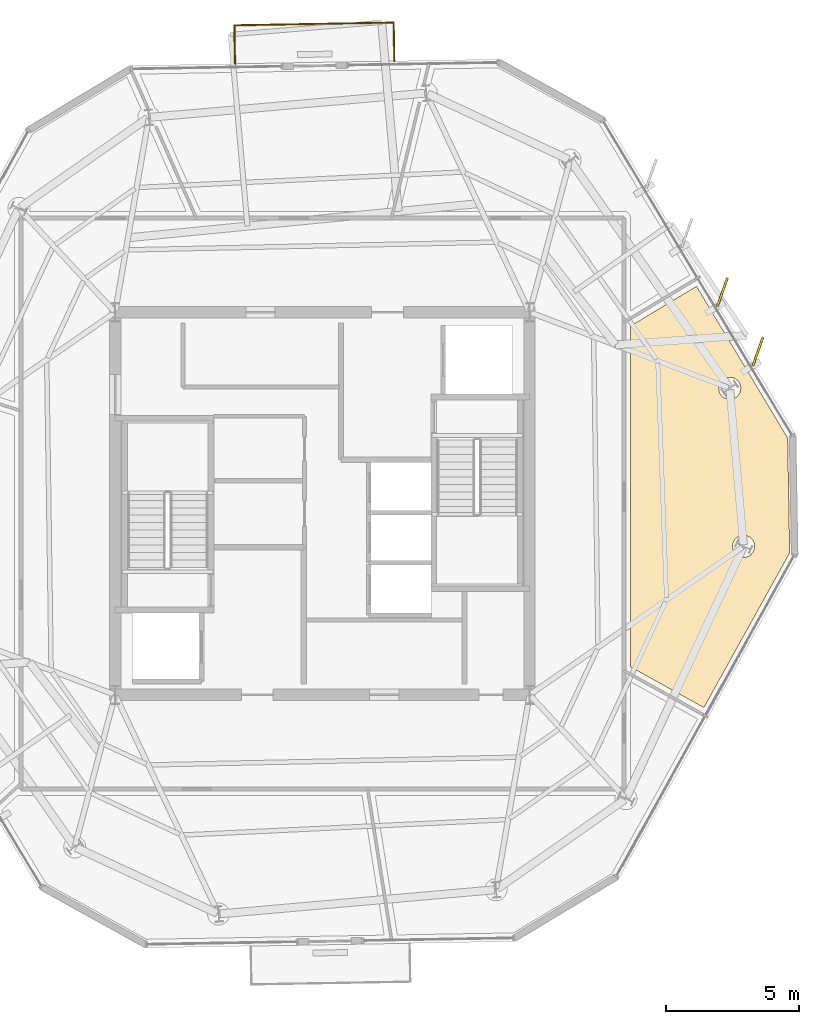
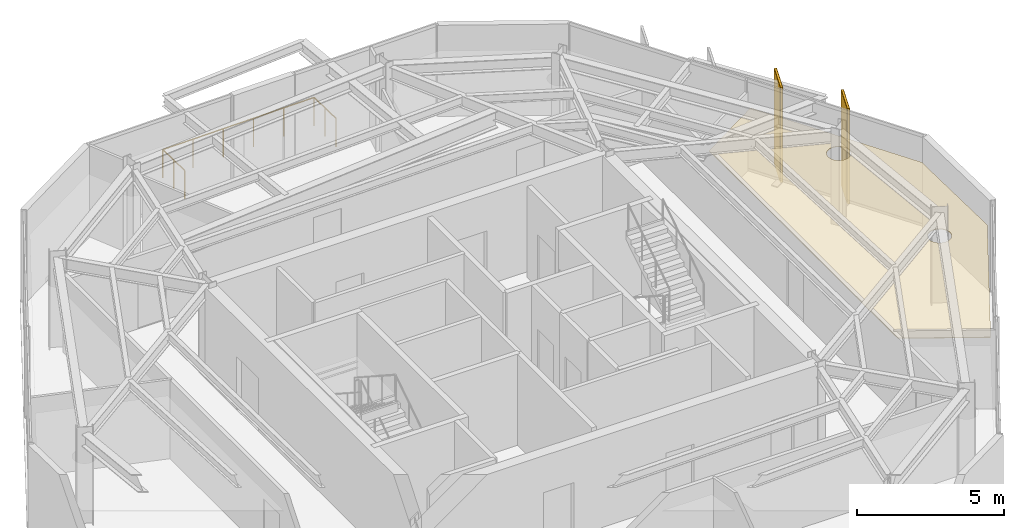
# One storey, part 12 of 12: 3 coverings, 2 shading devices, 1 railing.
"""IFC4 building model written with IfcOpenShell, lengths in metres."""

from ifc_helpers import new_model, si_unit, direction, frame, origin, origin_2d, place, context, subcontext, project, spatial, polyline, rectangle, circle, outline, extrude, material, layer, layer_set, type_object, element, save


model = new_model("IFC4")

# Units and contexts
model_context = context("Model", 3, precision=1e-05, world=origin(), true_north=direction((0.0, 1.0)))
body_context = subcontext(model_context, "Body", "Model", "MODEL_VIEW")
ifc_project = project(units=[si_unit("LENGTHUNIT", "METRE"), si_unit("AREAUNIT", "SQUARE_METRE"), si_unit("VOLUMEUNIT", "CUBIC_METRE"), si_unit("PLANEANGLEUNIT", "RADIAN"), si_unit("MASSUNIT", "GRAM", prefix="KILO")], contexts=[model_context])

# Site, building, storey
site_placement = place(None, origin())
site = spatial("IfcSite", under=ifc_project, at=site_placement, CompositionType="ELEMENT")
building_placement = place(site_placement, origin())
building = spatial("IfcBuilding", under=site, at=building_placement, Name="Kranzbogen Civic Tower", CompositionType="ELEMENT")
storey_placement = place(building_placement, frame((0.0, 0.0, 270.199951171875)))
storey = spatial("IfcBuildingStorey", under=building, at=storey_placement, Name="L65", CompositionType="ELEMENT", Elevation=270.199951171875)

# Coverings
ifc_material_1 = material(Name="Pale Anodised Aluminium", Category="aluminium")
ifc_layer_1 = layer(ifc_material_1, 0.02490234375, Name="Pale Anodised Aluminium")
ifc_layer_set_1 = layer_set([ifc_layer_1], Name="Pale Anodised Aluminium")
covering_type_1 = type_object("IfcCoveringType", Name="Anodised Aluminium Vertical Fin Cladding 25 mm", PredefinedType="CLADDING", material=ifc_layer_set_1)
for number, where, z_axis, x_axis, name in (
    (1, (41.39501953125, 30.72705078125, -0.139892578125), (0.0, 0.0, 1.0), (0.334596447491, 0.942361510953, 0.0), "L65 vertical fin pale-metal cladding F6-1"),
    (2, (40.055908203125, 32.9560546875, -0.139892578125), (0.0, 0.0, 1.0), (0.334596447491, 0.942361510953, 0.0), "L65 vertical fin pale-metal cladding F6-2"),
):
    element("IfcCovering", number, at=place(storey_placement, frame(where, z_axis=z_axis, x_axis=x_axis)), inside=storey, type_object=covering_type_1, Name=name, PredefinedType="CLADDING", context=body_context, shape_type="SweptSolid", body=[
        extrude(rectangle(XDim=1.14990234375, YDim=0.094970703125, at=origin_2d()), origin(), (0.0, 0.0, 1.0), 3.9599609375),
    ])

# Railing
ifc_material_2 = material(Name="Anodised Bronze Aluminium", Category="aluminium")
railing_type = type_object("IfcRailingType", Name="Cantilevered Balcony Glass and Bronze Balustrade 1200", PredefinedType="BALUSTRADE", material=ifc_material_2)
railing_placement = place(storey_placement, frame((27.7099609375, 41.657958984375, 0.0)))
element("IfcRailing", 3, at=railing_placement, inside=storey, type_object=railing_type, Name="L65 exterior terrace balustrade L65-TB2", PredefinedType="BALUSTRADE", context=body_context, shape_type="SweptSolid", body=[
    extrude(circle(Radius=0.02392578125, at=origin_2d()), frame((0.0, 0.0, 1.17578125), z_axis=(-0.017172076107, 0.99985254903, 0.0), x_axis=(-0.99985254903, -0.017172076107, 0.0)), (0.0, 0.0, 1.0), 1.4501953125),
    extrude(circle(Radius=0.02392578125, at=origin_2d()), frame((-0.02490234375, 1.449951171875, 1.17578125), z_axis=(-0.999849751445, -0.017334201291, 0.0), x_axis=(0.017334201291, -0.999849751445, 0.0)), (0.0, 0.0, 1.0), 6.0),
    extrude(circle(Radius=0.02392578125, at=origin_2d()), frame((-6.02392578125, 1.345947265625, 1.17578125), z_axis=(0.017172076107, -0.99985254903, 0.0), x_axis=(0.99985254903, 0.017172076107, 0.0)), (0.0, 0.0, 1.0), 1.4501953125),
    extrude(circle(Radius=0.02099609375, at=origin_2d()), origin(), (0.0, 0.0, 1.0), 1.15185546875),
    extrude(circle(Radius=0.02099609375, at=origin_2d()), frame((-0.012451171875, 0.72509765625, 0.0)), (0.0, 0.0, 1.0), 1.15185546875),
    extrude(circle(Radius=0.02099609375, at=origin_2d()), frame((-0.02490234375, 1.449951171875, 0.0)), (0.0, 0.0, 1.0), 1.15185546875),
    extrude(circle(Radius=0.02099609375, at=origin_2d()), frame((-1.224609375, 1.42919921875, 0.0)), (0.0, 0.0, 1.0), 1.15185546875),
    extrude(circle(Radius=0.02099609375, at=origin_2d()), frame((-2.424560546875, 1.408447265625, 0.0)), (0.0, 0.0, 1.0), 1.15185546875),
    extrude(circle(Radius=0.02099609375, at=origin_2d()), frame((-3.624267578125, 1.387451171875, 0.0)), (0.0, 0.0, 1.0), 1.15185546875),
    extrude(circle(Radius=0.02099609375, at=origin_2d()), frame((-4.82421875, 1.36669921875, 0.0)), (0.0, 0.0, 1.0), 1.15185546875),
    extrude(circle(Radius=0.02099609375, at=origin_2d()), frame((-6.02392578125, 1.345947265625, 0.0)), (0.0, 0.0, 1.0), 1.15185546875),
    extrude(circle(Radius=0.02099609375, at=origin_2d()), frame((-6.011474609375, 0.62109375, 0.0)), (0.0, 0.0, 1.0), 1.15185546875),
    extrude(circle(Radius=0.02099609375, at=origin_2d()), frame((-5.9990234375, -0.10400390625, 0.0)), (0.0, 0.0, 1.0), 1.15185546875),
])

# Shading devices
shading_device_type = type_object("IfcShadingDeviceType", Name="Pale Anodised Aluminium Crown Fin 1150x75", PredefinedType="USERDEFINED", material=ifc_material_1)
for number, where, z_axis, x_axis, name in (
    (4, (41.39501953125, 30.72705078125, -0.139892578125), (0.0, 0.0, 1.0), (0.334596447491, 0.942361510953, 0.0), "L65 vertical exterior shading fin F6-1"),
    (5, (40.055908203125, 32.9560546875, -0.139892578125), (0.0, 0.0, 1.0), (0.334596447491, 0.942361510953, 0.0), "L65 vertical exterior shading fin F6-2"),
):
    element("IfcShadingDevice", number, at=place(storey_placement, frame(where, z_axis=z_axis, x_axis=x_axis)), inside=storey, type_object=shading_device_type, Name=name, ObjectType="FIN", PredefinedType="USERDEFINED", context=body_context, shape_type="SweptSolid", body=[
        extrude(rectangle(XDim=1.14990234375, YDim=0.074951171875, at=origin_2d()), origin(), (0.0, 0.0, 1.0), 3.9599609375),
    ])

# Covering
ifc_material_3 = material(Name="Perforated Acoustic Gypsum Ceiling")
ifc_layer_2 = layer(ifc_material_3, 0.02490234375, Name="Perforated Acoustic Gypsum Ceiling")
ifc_layer_set_2 = layer_set([ifc_layer_2], Name="Perforated Acoustic Gypsum Ceiling")
covering_type_2 = type_object("IfcCoveringType", Name="Perforated Acoustic Mineral Ceiling Tile 25 mm", PredefinedType="CEILING", material=ifc_layer_set_2)
covering_placement = place(storey_placement, frame((0.0, 0.0, 2.75)))
element("IfcCovering", 6, at=covering_placement, inside=storey, type_object=covering_type_2, Name="L65 Staff Tea Pantry acoustic ceiling", PredefinedType="CEILING", context=body_context, shape_type="SweptSolid", body=[
    extrude(outline(polyline([(42.589111328125, 23.14306640625), (39.361083984375, 17.320068359375), (36.594970703125, 18.85302734375), (36.594970703125, 31.680908203125), (39.083984375, 33.177001953125), (42.513916015625, 27.468994140625), (42.589111328125, 23.14306640625)]), holes=[polyline([(41.239013671875, 23.23095703125), (41.220947265625, 23.194091796875), (41.199951171875, 23.158935546875), (41.176025390625, 23.1259765625), (41.14892578125, 23.095947265625), (41.118896484375, 23.069091796875), (41.0859375, 23.044921875), (41.051025390625, 23.02392578125), (41.013916015625, 23.006103515625), (40.97607421875, 22.991943359375), (40.93603515625, 22.98291015625), (40.89599609375, 22.97705078125), (40.85498046875, 22.97509765625), (40.81396484375, 22.97705078125), (40.77392578125, 22.98291015625), (40.73388671875, 22.991943359375), (40.696044921875, 23.006103515625), (40.658935546875, 23.02392578125), (40.6240234375, 23.044921875), (40.591064453125, 23.069091796875), (40.56103515625, 23.095947265625), (40.533935546875, 23.1259765625), (40.510009765625, 23.158935546875), (40.489013671875, 23.194091796875), (40.470947265625, 23.23095703125), (40.45703125, 23.26904296875), (40.447998046875, 23.30908203125), (40.44189453125, 23.34912109375), (40.43994140625, 23.389892578125), (40.44189453125, 23.430908203125), (40.447998046875, 23.470947265625), (40.45703125, 23.510986328125), (40.470947265625, 23.549072265625), (40.489013671875, 23.5859375), (40.510009765625, 23.62109375), (40.533935546875, 23.654052734375), (40.56103515625, 23.68408203125), (40.591064453125, 23.7109375), (40.6240234375, 23.735107421875), (40.658935546875, 23.756103515625), (40.696044921875, 23.77392578125), (40.73388671875, 23.7880859375), (40.77392578125, 23.797119140625), (40.81396484375, 23.802978515625), (40.85498046875, 23.804931640625), (40.89599609375, 23.802978515625), (40.93603515625, 23.797119140625), (40.97607421875, 23.7880859375), (41.013916015625, 23.77392578125), (41.051025390625, 23.756103515625), (41.0859375, 23.735107421875), (41.118896484375, 23.7109375), (41.14892578125, 23.68408203125), (41.176025390625, 23.654052734375), (41.199951171875, 23.62109375), (41.220947265625, 23.5859375), (41.239013671875, 23.549072265625), (41.2529296875, 23.510986328125), (41.261962890625, 23.470947265625), (41.26806640625, 23.430908203125), (41.27001953125, 23.389892578125), (41.26806640625, 23.34912109375), (41.261962890625, 23.30908203125), (41.2529296875, 23.26904296875), (41.239013671875, 23.23095703125)]), polyline([(40.718017578125, 29.179931640625), (40.699951171875, 29.14306640625), (40.678955078125, 29.10791015625), (40.655029296875, 29.074951171875), (40.6279296875, 29.044921875), (40.597900390625, 29.01806640625), (40.56494140625, 28.993896484375), (40.530029296875, 28.972900390625), (40.492919921875, 28.955078125), (40.455078125, 28.94091796875), (40.4150390625, 28.931884765625), (40.375, 28.926025390625), (40.333984375, 28.924072265625), (40.29296875, 28.926025390625), (40.2529296875, 28.931884765625), (40.212890625, 28.94091796875), (40.175048828125, 28.955078125), (40.137939453125, 28.972900390625), (40.10302734375, 28.993896484375), (40.070068359375, 29.01806640625), (40.0400390625, 29.044921875), (40.012939453125, 29.074951171875), (39.989013671875, 29.10791015625), (39.968017578125, 29.14306640625), (39.949951171875, 29.179931640625), (39.93603515625, 29.218017578125), (39.927001953125, 29.258056640625), (39.9208984375, 29.298095703125), (39.9189453125, 29.339111328125), (39.9208984375, 29.3798828125), (39.927001953125, 29.419921875), (39.93603515625, 29.4599609375), (39.949951171875, 29.498046875), (39.968017578125, 29.534912109375), (39.989013671875, 29.570068359375), (40.012939453125, 29.60302734375), (40.0400390625, 29.633056640625), (40.070068359375, 29.659912109375), (40.10302734375, 29.68408203125), (40.137939453125, 29.705078125), (40.175048828125, 29.722900390625), (40.212890625, 29.737060546875), (40.2529296875, 29.74609375), (40.29296875, 29.751953125), (40.333984375, 29.75390625), (40.375, 29.751953125), (40.4150390625, 29.74609375), (40.455078125, 29.737060546875), (40.492919921875, 29.722900390625), (40.530029296875, 29.705078125), (40.56494140625, 29.68408203125), (40.597900390625, 29.659912109375), (40.6279296875, 29.633056640625), (40.655029296875, 29.60302734375), (40.678955078125, 29.570068359375), (40.699951171875, 29.534912109375), (40.718017578125, 29.498046875), (40.73193359375, 29.4599609375), (40.740966796875, 29.419921875), (40.7470703125, 29.3798828125), (40.7490234375, 29.339111328125), (40.7470703125, 29.298095703125), (40.740966796875, 29.258056640625), (40.73193359375, 29.218017578125), (40.718017578125, 29.179931640625)])]), origin(), (0.0, 0.0, 1.0), 0.025146484375),
])

save(model, "model.ifc")
